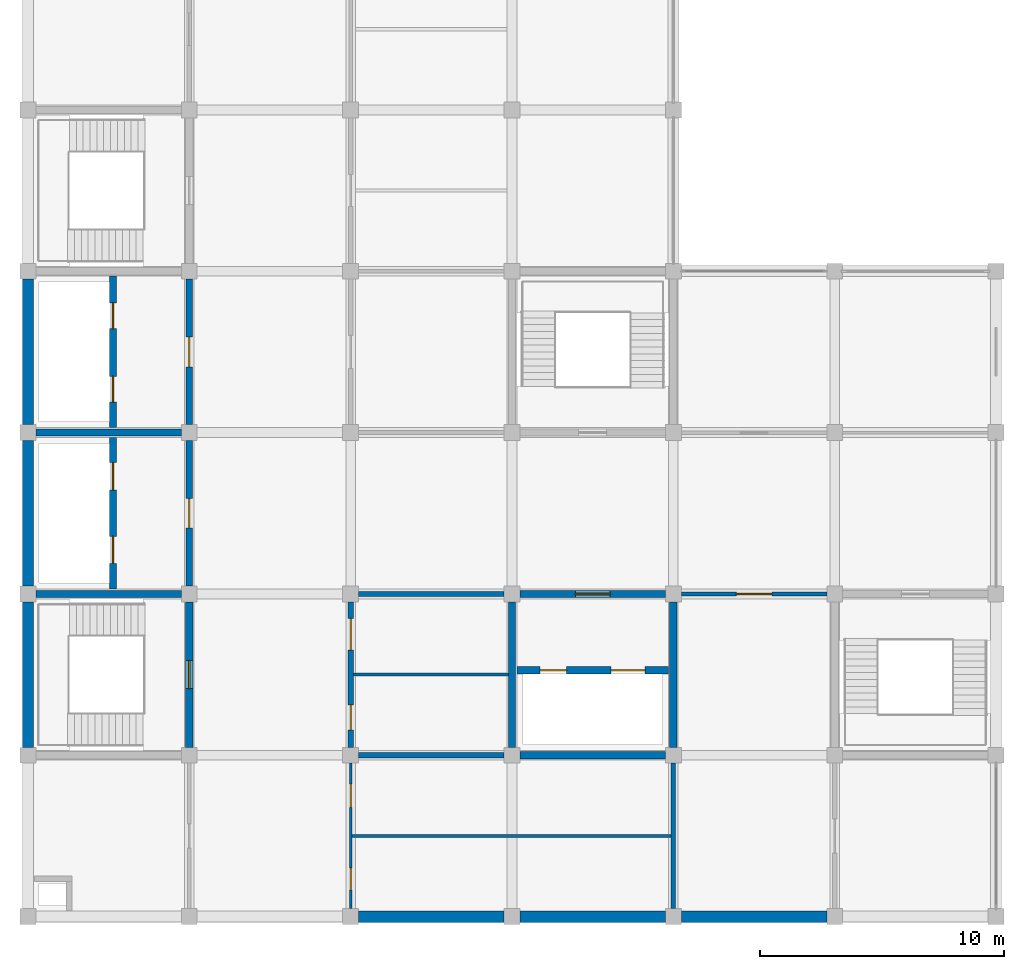
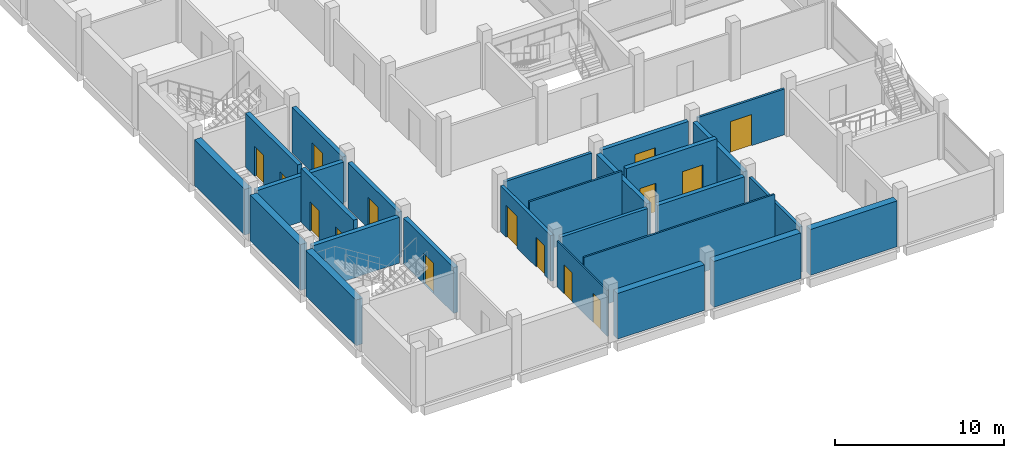
# One storey, part 6 of 9: 26 walls, 15 doors, 15 openings.
"""IFC4 building model written with IfcOpenShell, lengths in metres."""

from ifc_helpers import new_model, si_unit, direction, frame, frame_2d, origin, place, context, subcontext, project, spatial, rectangle, extrude, material, layer, layer_set, type_object, element, fill, save


model = new_model("IFC4")

# Units and contexts
model_context = context("Model", 3, precision=1e-05, world=origin(), true_north=direction((0.0, 1.0)))
body_context = subcontext(model_context, "Body", "Model", "MODEL_VIEW")
ifc_project = project(units=[si_unit("LENGTHUNIT", "METRE"), si_unit("AREAUNIT", "SQUARE_METRE"), si_unit("VOLUMEUNIT", "CUBIC_METRE"), si_unit("PLANEANGLEUNIT", "RADIAN"), si_unit("MASSUNIT", "GRAM", prefix="KILO")], contexts=[model_context])

# Site, building, storey
site_placement = place(None, origin())
site = spatial("IfcSite", under=ifc_project, at=site_placement, CompositionType="ELEMENT")
building_placement = place(site_placement, origin())
building = spatial("IfcBuilding", under=site, at=building_placement, Name="Rusizi Kubbe Research Institute", CompositionType="ELEMENT")
storey_placement = place(building_placement, frame((0.0, 0.0, 60.60009765625)))
storey = spatial("IfcBuildingStorey", under=building, at=storey_placement, Name="L14", CompositionType="ELEMENT", Elevation=60.60009765625)

# Wall
ifc_material_1 = material(Name="Concrete C40/50", Category="concrete")
ifc_layer_1 = layer(ifc_material_1, 0.294921875)
ifc_layer_set_1 = layer_set([ifc_layer_1], Name="Concrete C40/50")
wall_type_1 = type_object("IfcWallType", Name="CRW-03", PredefinedType="SHEAR", material=ifc_layer_set_1)
wall_1_placement = place(storey_placement, frame((0.324951171875, 13.199951171875, 0.0), z_axis=(0.0, 0.0, 1.0), x_axis=(1.0, 0.0, 0.0)))
element("IfcWall", 1, at=wall_1_placement, inside=storey, type_object=wall_type_1, Name="Stair Core Shear Wall ST1 L14 N", PredefinedType="SHEAR", context=body_context, shape_type="SweptSolid", body=[
    extrude(rectangle(XDim=5.949951171875, YDim=0.294921875, at=frame_2d((2.97509765625, 0.0))), origin(), (0.0, 0.0, 1.0), 3.309814453125),
])

# Wall, opening, door
wall_2_placement = place(storey_placement, frame((6.60009765625, 6.925048828125, 0.0), z_axis=(0.0, 0.0, 1.0), x_axis=(0.0, 1.0, 0.0)))
wall_2 = element("IfcWall", 2, at=wall_2_placement, inside=storey, type_object=wall_type_1, Name="Stair Core Shear Wall ST1 L14 E", PredefinedType="SHEAR", context=body_context, shape_type="SweptSolid", body=[
    extrude(rectangle(XDim=5.949951171875, YDim=0.294921875, at=frame_2d((2.97509765625, 0.0))), origin(), (0.0, 0.0, 1.0), 3.309814453125),
])
opening_1_placement = place(wall_2_placement, frame((2.39990234375, 0.0, 0.0)))
opening_1 = element("IfcOpeningElement", 3, at=opening_1_placement, cuts=wall_2, Name="Opening D-02", PredefinedType="OPENING", context=body_context, shape_type="SweptSolid", body=[
    extrude(rectangle(XDim=1.14990234375, YDim=2.199951171875, at=frame_2d((0.574951171875, 1.10009765625))), frame((0.0, 0.157470703125, 0.0), z_axis=(0.0, -1.0, 0.0), x_axis=(1.0, 0.0, 0.0)), (0.0, 0.0, 1.0), 0.31494140625),
])
ifc_material_2 = material(Name="Fire-Rated Steel Frame and Acoustic Timber Leaf", Category="wood")
door_type_1 = type_object("IfcDoorType", Name="ID-STAIR-115", OperationType="NOTDEFINED", PredefinedType="DOOR", material=ifc_material_2)
door_1_placement = place(opening_1_placement, origin())
door_1 = element("IfcDoor", 4, at=door_1_placement, inside=storey, type_object=door_type_1, Name="Exit Stair Door ST1 L14", OperationType="SINGLE_SWING_RIGHT", OverallHeight=2.199951171875, OverallWidth=1.14990234375, PredefinedType="DOOR", context=body_context, shape_type="SweptSolid", body=[
    extrude(rectangle(XDim=1.14990234375, YDim=2.199951171875, at=frame_2d((0.574951171875, 1.10009765625))), frame((0.0, 0.02490234375, 0.0), z_axis=(0.0, -1.0, 0.0), x_axis=(1.0, 0.0, 0.0)), (0.0, 0.0, 1.0), 0.050048828125),
])
fill(opening_1, door_1)

# Walls
for number, where, z_axis, x_axis, name in (
    (5, (0.324951171875, 19.800048828125, 0.0), (0.0, 0.0, 1.0), (1.0, 0.0, 0.0), "Lift Core Divider Wall (0,2-3) L14"),
    (6, (20.125, 6.60009765625, 0.0), (0.0, 0.0, 1.0), (1.0, 0.0, 0.0), "Lab Lift Core Wall S (3,1) L14"),
    (7, (19.800048828125, 6.925048828125, 0.0), (0.0, 0.0, 1.0), (0.0, 1.0, 0.0), "Lab Lift Core Wall W (3,1) L14"),
    (8, (26.39990234375, 6.925048828125, 0.0), (0.0, 0.0, 1.0), (0.0, 1.0, 0.0), "Lab Lift Core Wall E (3,1) L14"),
):
    element("IfcWall", number, at=place(storey_placement, frame(where, z_axis=z_axis, x_axis=x_axis)), inside=storey, type_object=wall_type_1, Name=name, PredefinedType="SHEAR", context=body_context, shape_type="SweptSolid", body=[
        extrude(rectangle(XDim=5.949951171875, YDim=0.294921875, at=frame_2d((2.97509765625, 0.0))), origin(), (0.0, 0.0, 1.0), 3.309814453125),
    ])

# Wall, openings, doors
wall_3_placement = place(storey_placement, frame((3.47998046875, 13.39990234375, 0.0), z_axis=(0.0, 0.0, 1.0), x_axis=(0.0, 1.0, 0.0)))
wall_3 = element("IfcWall", 9, at=wall_3_placement, inside=storey, type_object=wall_type_1, Name="Firefighting Lift Shaft Front Wall L14", PredefinedType="SHEAR", context=body_context, shape_type="SweptSolid", body=[
    extrude(rectangle(XDim=6.2001953125, YDim=0.294921875, at=frame_2d((3.10009765625, 0.0))), origin(), (0.0, 0.0, 1.0), 3.909912109375),
])
opening_2_placement = place(wall_3_placement, frame((1.050048828125, 0.0, 0.0)))
opening_2 = element("IfcOpeningElement", 10, at=opening_2_placement, cuts=wall_3, Name="Opening LD-01", PredefinedType="OPENING", context=body_context, shape_type="SweptSolid", body=[
    extrude(rectangle(XDim=1.10009765625, YDim=2.14990234375, at=frame_2d((0.550048828125, 1.074951171875))), frame((0.0, 0.157470703125, 0.0), z_axis=(0.0, -1.0, 0.0), x_axis=(1.0, 0.0, 0.0)), (0.0, 0.0, 1.0), 0.31494140625),
])
opening_3_placement = place(wall_3_placement, frame((4.050048828125, 0.0, 0.0)))
opening_3 = element("IfcOpeningElement", 11, at=opening_3_placement, cuts=wall_3, Name="Opening LD-02", PredefinedType="OPENING", context=body_context, shape_type="SweptSolid", body=[
    extrude(rectangle(XDim=1.1201171875, YDim=2.14990234375, at=frame_2d((0.56005859375, 1.074951171875))), frame((0.0, 0.157470703125, 0.0), z_axis=(0.0, -1.0, 0.0), x_axis=(1.0, 0.0, 0.0)), (0.0, 0.0, 1.0), 0.31494140625),
])
ifc_material_3 = material(Name="Brushed Stainless Steel Sliding Door", Category="steel")
door_type_2 = type_object("IfcDoorType", Name="LD-01", OperationType="DOUBLE_DOOR_SLIDING", PredefinedType="USERDEFINED", material=ifc_material_3)
door_2_placement = place(opening_2_placement, origin())
door_2 = element("IfcDoor", 12, at=door_2_placement, inside=storey, type_object=door_type_2, Name="Lift Landing Sliding Door FL1 L14", ObjectType="SLIDING DOOR", OperationType="DOUBLE_DOOR_SLIDING", OverallHeight=2.14990234375, OverallWidth=1.10009765625, PredefinedType="USERDEFINED", context=body_context, shape_type="SweptSolid", body=[
    extrude(rectangle(XDim=1.10009765625, YDim=2.14990234375, at=frame_2d((0.550048828125, 1.074951171875))), frame((0.0, 0.02490234375, 0.0), z_axis=(0.0, -1.0, 0.0), x_axis=(1.0, 0.0, 0.0)), (0.0, 0.0, 1.0), 0.050048828125),
])
fill(opening_2, door_2)
ifc_material_4 = material(Name="Brushed Stainless Steel Sliding Door", Category="steel")
door_type_3 = type_object("IfcDoorType", Name="LD-02", OperationType="DOUBLE_DOOR_SLIDING", PredefinedType="USERDEFINED", material=ifc_material_4)
door_3_placement = place(opening_3_placement, origin())
door_3 = element("IfcDoor", 13, at=door_3_placement, inside=storey, type_object=door_type_3, Name="Lift Landing Sliding Door FL2 L14", ObjectType="SLIDING DOOR", OperationType="DOUBLE_DOOR_SLIDING", OverallHeight=2.14990234375, OverallWidth=1.1201171875, PredefinedType="USERDEFINED", context=body_context, shape_type="SweptSolid", body=[
    extrude(rectangle(XDim=1.1201171875, YDim=2.14990234375, at=frame_2d((0.56005859375, 1.074951171875))), frame((0.0, 0.02490234375, 0.0), z_axis=(0.0, -1.0, 0.0), x_axis=(1.0, 0.0, 0.0)), (0.0, 0.0, 1.0), 0.050048828125),
])
fill(opening_3, door_3)

wall_4_placement = place(storey_placement, frame((3.47998046875, 20.0, 0.0), z_axis=(0.0, 0.0, 1.0), x_axis=(0.0, 1.0, 0.0)))
wall_4 = element("IfcWall", 14, at=wall_4_placement, inside=storey, type_object=wall_type_1, Name="Passenger Lift Shaft Front Wall L14", PredefinedType="SHEAR", context=body_context, shape_type="SweptSolid", body=[
    extrude(rectangle(XDim=6.199951171875, YDim=0.294921875, at=frame_2d((3.10009765625, 0.0))), origin(), (0.0, 0.0, 1.0), 3.909912109375),
])
opening_4_placement = place(wall_4_placement, frame((1.050048828125, 0.0, 0.0)))
opening_4 = element("IfcOpeningElement", 15, at=opening_4_placement, cuts=wall_4, Name="Opening LD-03", PredefinedType="OPENING", context=body_context, shape_type="SweptSolid", body=[
    extrude(rectangle(XDim=1.050048828125, YDim=2.14990234375, at=frame_2d((0.52490234375, 1.074951171875))), frame((0.0, 0.157470703125, 0.0), z_axis=(0.0, -1.0, 0.0), x_axis=(1.0, 0.0, 0.0)), (0.0, 0.0, 1.0), 0.31494140625),
])
opening_5_placement = place(wall_4_placement, frame((4.050048828125, 0.0, 0.0)))
opening_5 = element("IfcOpeningElement", 16, at=opening_5_placement, cuts=wall_4, Name="Opening LD-04", PredefinedType="OPENING", context=body_context, shape_type="SweptSolid", body=[
    extrude(rectangle(XDim=1.06005859375, YDim=2.14990234375, at=frame_2d((0.530029296875, 1.074951171875))), frame((0.0, 0.157470703125, 0.0), z_axis=(0.0, -1.0, 0.0), x_axis=(1.0, 0.0, 0.0)), (0.0, 0.0, 1.0), 0.31494140625),
])
ifc_material_5 = material(Name="Brushed Stainless Steel Sliding Door", Category="steel")
door_type_4 = type_object("IfcDoorType", Name="LD-03", OperationType="DOUBLE_DOOR_SLIDING", PredefinedType="USERDEFINED", material=ifc_material_5)
door_4_placement = place(opening_4_placement, origin())
door_4 = element("IfcDoor", 17, at=door_4_placement, inside=storey, type_object=door_type_4, Name="Lift Landing Sliding Door LP1 L14", ObjectType="SLIDING DOOR", OperationType="DOUBLE_DOOR_SLIDING", OverallHeight=2.14990234375, OverallWidth=1.050048828125, PredefinedType="USERDEFINED", context=body_context, shape_type="SweptSolid", body=[
    extrude(rectangle(XDim=1.050048828125, YDim=2.14990234375, at=frame_2d((0.52490234375, 1.074951171875))), frame((0.0, 0.02490234375, 0.0), z_axis=(0.0, -1.0, 0.0), x_axis=(1.0, 0.0, 0.0)), (0.0, 0.0, 1.0), 0.050048828125),
])
fill(opening_4, door_4)
ifc_material_6 = material(Name="Brushed Stainless Steel Sliding Door", Category="steel")
door_type_5 = type_object("IfcDoorType", Name="LD-04", OperationType="DOUBLE_DOOR_SLIDING", PredefinedType="USERDEFINED", material=ifc_material_6)
door_5_placement = place(opening_5_placement, origin())
door_5 = element("IfcDoor", 18, at=door_5_placement, inside=storey, type_object=door_type_5, Name="Lift Landing Sliding Door LP2 L14", ObjectType="SLIDING DOOR", OperationType="DOUBLE_DOOR_SLIDING", OverallHeight=2.14990234375, OverallWidth=1.06005859375, PredefinedType="USERDEFINED", context=body_context, shape_type="SweptSolid", body=[
    extrude(rectangle(XDim=1.06005859375, YDim=2.14990234375, at=frame_2d((0.530029296875, 1.074951171875))), frame((0.0, 0.02490234375, 0.0), z_axis=(0.0, -1.0, 0.0), x_axis=(1.0, 0.0, 0.0)), (0.0, 0.0, 1.0), 0.050048828125),
])
fill(opening_5, door_5)

wall_5_placement = place(storey_placement, frame((20.0, 10.080078125, 0.0), z_axis=(0.0, 0.0, 1.0), x_axis=(1.0, 0.0, 0.0)))
wall_5 = element("IfcWall", 19, at=wall_5_placement, inside=storey, type_object=wall_type_1, Name="Goods Lift Shaft Front Wall L14", PredefinedType="SHEAR", context=body_context, shape_type="SweptSolid", body=[
    extrude(rectangle(XDim=6.199951171875, YDim=0.294921875, at=frame_2d((3.10009765625, 0.0))), origin(), (0.0, 0.0, 1.0), 3.909912109375),
])
opening_6_placement = place(wall_5_placement, frame((0.949951171875, 0.0, 0.0)))
opening_6 = element("IfcOpeningElement", 20, at=opening_6_placement, cuts=wall_5, Name="Opening LD-05", PredefinedType="OPENING", context=body_context, shape_type="SweptSolid", body=[
    extrude(rectangle(XDim=1.080078125, YDim=2.14990234375, at=frame_2d((0.5400390625, 1.074951171875))), frame((0.0, 0.157470703125, 0.0), z_axis=(0.0, -1.0, 0.0), x_axis=(1.0, 0.0, 0.0)), (0.0, 0.0, 1.0), 0.31494140625),
])
opening_7_placement = place(wall_5_placement, frame((3.85009765625, 0.0, 0.0)))
opening_7 = element("IfcOpeningElement", 21, at=opening_7_placement, cuts=wall_5, Name="Opening LD-06", PredefinedType="OPENING", context=body_context, shape_type="SweptSolid", body=[
    extrude(rectangle(XDim=1.39990234375, YDim=2.35009765625, at=frame_2d((0.699951171875, 1.175048828125))), frame((0.0, 0.157470703125, 0.0), z_axis=(0.0, -1.0, 0.0), x_axis=(1.0, 0.0, 0.0)), (0.0, 0.0, 1.0), 0.31494140625),
])
ifc_material_7 = material(Name="Brushed Stainless Steel Sliding Door", Category="steel")
door_type_6 = type_object("IfcDoorType", Name="LD-05", OperationType="DOUBLE_DOOR_SLIDING", PredefinedType="USERDEFINED", material=ifc_material_7)
door_6_placement = place(opening_6_placement, origin())
door_6 = element("IfcDoor", 22, at=door_6_placement, inside=storey, type_object=door_type_6, Name="Lift Landing Sliding Door LP3 L14", ObjectType="SLIDING DOOR", OperationType="DOUBLE_DOOR_SLIDING", OverallHeight=2.14990234375, OverallWidth=1.080078125, PredefinedType="USERDEFINED", context=body_context, shape_type="SweptSolid", body=[
    extrude(rectangle(XDim=1.080078125, YDim=2.14990234375, at=frame_2d((0.5400390625, 1.074951171875))), frame((0.0, 0.02490234375, 0.0), z_axis=(0.0, -1.0, 0.0), x_axis=(1.0, 0.0, 0.0)), (0.0, 0.0, 1.0), 0.050048828125),
])
fill(opening_6, door_6)
ifc_material_8 = material(Name="Brushed Stainless Steel Sliding Door", Category="steel")
door_type_7 = type_object("IfcDoorType", Name="LD-06", OperationType="DOUBLE_DOOR_SLIDING", PredefinedType="USERDEFINED", material=ifc_material_8)
door_7_placement = place(opening_7_placement, origin())
door_7 = element("IfcDoor", 23, at=door_7_placement, inside=storey, type_object=door_type_7, Name="Lift Landing Sliding Door LG1 L14", ObjectType="SLIDING DOOR", OperationType="DOUBLE_DOOR_SLIDING", OverallHeight=2.35009765625, OverallWidth=1.39990234375, PredefinedType="USERDEFINED", context=body_context, shape_type="SweptSolid", body=[
    extrude(rectangle(XDim=1.39990234375, YDim=2.35009765625, at=frame_2d((0.699951171875, 1.175048828125))), frame((0.0, 0.02490234375, 0.0), z_axis=(0.0, -1.0, 0.0), x_axis=(1.0, 0.0, 0.0)), (0.0, 0.0, 1.0), 0.050048828125),
])
fill(opening_7, door_7)

# Wall
ifc_material_9 = material(Name="Concrete Blockwork Fire Partition", Category="masonry")
ifc_layer_2 = layer(ifc_material_9, 0.22509765625)
ifc_layer_set_2 = layer_set([ifc_layer_2], Name="Concrete Blockwork Fire Partition")
wall_type_2 = type_object("IfcWallType", Name="IW-01", PredefinedType="PARTITIONING", material=ifc_layer_set_2)
wall_6_placement = place(storey_placement, frame((13.52490234375, 6.60009765625, 0.0), z_axis=(0.0, 0.0, 1.0), x_axis=(1.0, 0.0, 0.0)))
element("IfcWall", 24, at=wall_6_placement, inside=storey, type_object=wall_type_2, Name="Sanitary Core North Divider Wall L14", PredefinedType="PARTITIONING", context=body_context, shape_type="SweptSolid", body=[
    extrude(rectangle(XDim=5.9501953125, YDim=0.22509765625, at=frame_2d((2.97509765625, 0.0))), origin(), (0.0, 0.0, 1.0), 3.309814453125),
])

# Wall, openings, doors
wall_7_placement = place(storey_placement, frame((13.199951171875, 6.925048828125, 0.0), z_axis=(0.0, 0.0, 1.0), x_axis=(0.0, 1.0, 0.0)))
wall_7 = element("IfcWall", 25, at=wall_7_placement, inside=storey, type_object=wall_type_2, Name="Accessible WC and Store West Wall L14", PredefinedType="PARTITIONING", context=body_context, shape_type="SweptSolid", body=[
    extrude(rectangle(XDim=5.949951171875, YDim=0.22509765625, at=frame_2d((2.97509765625, 0.0))), origin(), (0.0, 0.0, 1.0), 3.309814453125),
])
opening_8_placement = place(wall_7_placement, frame((0.715087890625, 0.0, 0.0)))
opening_8 = element("IfcOpeningElement", 26, at=opening_8_placement, cuts=wall_7, Name="Opening D-07", PredefinedType="OPENING", context=body_context, shape_type="SweptSolid", body=[
    extrude(rectangle(XDim=1.02001953125, YDim=2.14990234375, at=frame_2d((0.510009765625, 1.074951171875))), frame((0.0, 0.12255859375, 0.0), z_axis=(0.0, -1.0, 0.0), x_axis=(1.0, 0.0, 0.0)), (0.0, 0.0, 1.0), 0.2451171875),
])
opening_9_placement = place(wall_7_placement, frame((3.97509765625, 0.0, 0.0)))
opening_9 = element("IfcOpeningElement", 27, at=opening_9_placement, cuts=wall_7, Name="Opening D-14", PredefinedType="OPENING", context=body_context, shape_type="SweptSolid", body=[
    extrude(rectangle(XDim=1.300048828125, YDim=2.300048828125, at=frame_2d((0.64990234375, 1.14990234375))), frame((0.0, 0.12255859375, 0.0), z_axis=(0.0, -1.0, 0.0), x_axis=(1.0, 0.0, 0.0)), (0.0, 0.0, 1.0), 0.2451171875),
])
ifc_material_10 = material(Name="Fire-Rated Steel Frame and Acoustic Timber Leaf", Category="wood")
door_type_8 = type_object("IfcDoorType", Name="ID-LAB-130", OperationType="NOTDEFINED", PredefinedType="DOOR", material=ifc_material_10)
door_8_placement = place(opening_9_placement, origin())
door_8 = element("IfcDoor", 28, at=door_8_placement, inside=storey, type_object=door_type_8, Name="Door to Laboratory Reagent Store (L14-STR-01)", OperationType="SINGLE_SWING_RIGHT", OverallHeight=2.300048828125, OverallWidth=1.300048828125, PredefinedType="DOOR", context=body_context, shape_type="SweptSolid", body=[
    extrude(rectangle(XDim=1.300048828125, YDim=2.300048828125, at=frame_2d((0.64990234375, 1.14990234375))), frame((0.0, 0.02490234375, 0.0), z_axis=(0.0, -1.0, 0.0), x_axis=(1.0, 0.0, 0.0)), (0.0, 0.0, 1.0), 0.050048828125),
])
fill(opening_9, door_8)
ifc_material_11 = material(Name="Fire-Rated Steel Frame and Acoustic Timber Leaf", Category="wood")
door_type_9 = type_object("IfcDoorType", Name="ID-WC-ACC", OperationType="NOTDEFINED", PredefinedType="DOOR", material=ifc_material_11)
door_9_placement = place(opening_8_placement, origin())
door_9 = element("IfcDoor", 29, at=door_9_placement, inside=storey, type_object=door_type_9, Name="Door to Accessible Toilet Room (L14-WC-ACC)", OperationType="SINGLE_SWING_LEFT", OverallHeight=2.14990234375, OverallWidth=1.02001953125, PredefinedType="DOOR", context=body_context, shape_type="SweptSolid", body=[
    extrude(rectangle(XDim=1.02001953125, YDim=2.14990234375, at=frame_2d((0.510009765625, 1.074951171875))), frame((0.0, 0.02490234375, 0.0), z_axis=(0.0, -1.0, 0.0), x_axis=(1.0, 0.0, 0.0)), (0.0, 0.0, 1.0), 0.050048828125),
])
fill(opening_8, door_9)

# Walls
ifc_material_12 = material(Name="Insulated Cleanroom Partition", Category="masonry")
ifc_layer_3 = layer(ifc_material_12, 0.195068359375)
ifc_layer_set_3 = layer_set([ifc_layer_3], Name="Insulated Cleanroom Partition")
wall_type_3 = type_object("IfcWallType", Name="IW-02", PredefinedType="PARTITIONING", material=ifc_layer_set_3)
wall_8_placement = place(storey_placement, frame((26.39990234375, 0.324951171875, 0.0), z_axis=(0.0, 0.0, 1.0), x_axis=(0.0, 1.0, 0.0)))
element("IfcWall", 30, at=wall_8_placement, inside=storey, type_object=wall_type_3, Name="Sanitary Core East Enclosing Wall L14", PredefinedType="PARTITIONING", context=body_context, shape_type="SweptSolid", body=[
    extrude(rectangle(XDim=5.949951171875, YDim=0.195068359375, at=frame_2d((2.97509765625, 0.0))), origin(), (0.0, 0.0, 1.0), 3.309814453125),
])
wall_9_placement = place(storey_placement, frame((13.52490234375, 13.199951171875, 0.0), z_axis=(0.0, 0.0, 1.0), x_axis=(1.0, 0.0, 0.0)))
element("IfcWall", 31, at=wall_9_placement, inside=storey, type_object=wall_type_3, Name="Reagent Store North Corridor Wall L14", PredefinedType="PARTITIONING", context=body_context, shape_type="SweptSolid", body=[
    extrude(rectangle(XDim=5.9501953125, YDim=0.195068359375, at=frame_2d((2.97509765625, 0.0))), origin(), (0.0, 0.0, 1.0), 3.309814453125),
])

# Wall, opening, door
ifc_material_13 = material(Name="Fire-Rated Corridor Partition", Category="masonry")
ifc_layer_4 = layer(ifc_material_13, 0.155029296875)
ifc_layer_set_4 = layer_set([ifc_layer_4], Name="Fire-Rated Corridor Partition")
wall_type_4 = type_object("IfcWallType", Name="IW-04", PredefinedType="PARTITIONING", material=ifc_layer_set_4)
wall_10_placement = place(storey_placement, frame((26.72509765625, 13.199951171875, 0.0), z_axis=(0.0, 0.0, 1.0), x_axis=(1.0, 0.0, 0.0)))
wall_10 = element("IfcWall", 32, at=wall_10_placement, inside=storey, type_object=wall_type_4, Name="Interior Partition Wall L14 H4-2", PredefinedType="PARTITIONING", context=body_context, shape_type="SweptSolid", body=[
    extrude(rectangle(XDim=5.949951171875, YDim=0.155029296875, at=frame_2d((2.97509765625, 0.0))), origin(), (0.0, 0.0, 1.0), 3.309814453125),
])
opening_10_placement = place(wall_10_placement, frame((2.25, 0.0, 0.0)))
opening_10 = element("IfcOpeningElement", 33, at=opening_10_placement, cuts=wall_10, Name="Opening D-11", PredefinedType="OPENING", context=body_context, shape_type="SweptSolid", body=[
    extrude(rectangle(XDim=1.449951171875, YDim=2.25, at=frame_2d((0.72509765625, 1.125))), frame((0.0, 0.08740234375, 0.0), z_axis=(0.0, -1.0, 0.0), x_axis=(1.0, 0.0, 0.0)), (0.0, 0.0, 1.0), 0.175048828125),
])
ifc_material_14 = material(Name="Fire-Rated Steel Frame and Acoustic Timber Leaf", Category="wood")
door_type_10 = type_object("IfcDoorType", Name="ID-LAB-145", OperationType="NOTDEFINED", PredefinedType="DOOR", material=ifc_material_14)
door_10_placement = place(opening_10_placement, origin())
door_10 = element("IfcDoor", 34, at=door_10_placement, inside=storey, type_object=door_type_10, Name="Door to Catalysis Wet Laboratory (L14-EWS-01)", OperationType="SINGLE_SWING_LEFT", OverallHeight=2.25, OverallWidth=1.449951171875, PredefinedType="DOOR", context=body_context, shape_type="SweptSolid", body=[
    extrude(rectangle(XDim=1.449951171875, YDim=2.25, at=frame_2d((0.72509765625, 1.125))), frame((0.0, 0.02490234375, 0.0), z_axis=(0.0, -1.0, 0.0), x_axis=(1.0, 0.0, 0.0)), (0.0, 0.0, 1.0), 0.050048828125),
])
fill(opening_10, door_10)

# Walls
ifc_material_15 = material(Name="Sanitary Wet-Wall Partition", Category="masonry")
ifc_layer_5 = layer(ifc_material_15, 0.125)
ifc_layer_set_5 = layer_set([ifc_layer_5], Name="Sanitary Wet-Wall Partition")
wall_type_5 = type_object("IfcWallType", Name="IW-06", PredefinedType="PARTITIONING", material=ifc_layer_set_5)
wall_11_placement = place(storey_placement, frame((13.260009765625, 3.300048828125, 0.0), z_axis=(0.0, 0.0, 1.0), x_axis=(1.0, 0.0, 0.0)))
element("IfcWall", 35, at=wall_11_placement, inside=storey, type_object=wall_type_5, Name="Sanitary Divider Wall L14-1", PredefinedType="PARTITIONING", context=body_context, shape_type="SweptSolid", body=[
    extrude(rectangle(XDim=13.03759765625, YDim=0.125, at=frame_2d((6.518798828125, 0.0))), origin(), (0.0, 0.0, 1.0), 3.909912109375),
])
wall_12_placement = place(storey_placement, frame((13.3173828125, 9.89990234375, 0.0), z_axis=(0.0, 0.0, 1.0), x_axis=(1.0, 0.0, 0.0)))
element("IfcWall", 36, at=wall_12_placement, inside=storey, type_object=wall_type_5, Name="Sanitary Divider Wall L14-2", PredefinedType="PARTITIONING", context=body_context, shape_type="SweptSolid", body=[
    extrude(rectangle(XDim=6.330078125, YDim=0.125, at=frame_2d((3.1650390625, 0.0))), origin(), (0.0, 0.0, 1.0), 3.909912109375),
])

# Wall, openings, doors
ifc_material_16 = material(Name="Sub-Suite Fire Partition", Category="masonry")
ifc_layer_6 = layer(ifc_material_16, 0.110107421875)
ifc_layer_set_6 = layer_set([ifc_layer_6], Name="Sub-Suite Fire Partition")
wall_type_6 = type_object("IfcWallType", Name="IW-07", PredefinedType="PARTITIONING", material=ifc_layer_set_6)
wall_13_placement = place(storey_placement, frame((13.199951171875, 0.324951171875, 0.0), z_axis=(0.0, 0.0, 1.0), x_axis=(0.0, 1.0, 0.0)))
wall_13 = element("IfcWall", 37, at=wall_13_placement, inside=storey, type_object=wall_type_6, Name="Sanitary Core West Corridor Wall L14", PredefinedType="PARTITIONING", context=body_context, shape_type="SweptSolid", body=[
    extrude(rectangle(XDim=5.949951171875, YDim=0.110107421875, at=frame_2d((2.97509765625, 0.0))), origin(), (0.0, 0.0, 1.0), 3.309814453125),
])
opening_11_placement = place(wall_13_placement, frame((0.77490234375, 0.0, 0.0)))
opening_11 = element("IfcOpeningElement", 38, at=opening_11_placement, cuts=wall_13, Name="Opening D-05", PredefinedType="OPENING", context=body_context, shape_type="SweptSolid", body=[
    extrude(rectangle(XDim=0.89990234375, YDim=2.10009765625, at=frame_2d((0.449951171875, 1.050048828125))), frame((0.0, 0.06494140625, 0.0), z_axis=(0.0, -1.0, 0.0), x_axis=(1.0, 0.0, 0.0)), (0.0, 0.0, 1.0), 0.130126953125),
])
opening_12_placement = place(wall_13_placement, frame((4.14990234375, 0.0, 0.0)))
opening_12 = element("IfcOpeningElement", 39, at=opening_12_placement, cuts=wall_13, Name="Opening D-06", PredefinedType="OPENING", context=body_context, shape_type="SweptSolid", body=[
    extrude(rectangle(XDim=0.949951171875, YDim=2.10009765625, at=frame_2d((0.47509765625, 1.050048828125))), frame((0.0, 0.06494140625, 0.0), z_axis=(0.0, -1.0, 0.0), x_axis=(1.0, 0.0, 0.0)), (0.0, 0.0, 1.0), 0.130126953125),
])
ifc_material_17 = material(Name="Fire-Rated Steel Frame and Acoustic Timber Leaf", Category="wood")
door_type_11 = type_object("IfcDoorType", Name="ID-WC-900", OperationType="NOTDEFINED", PredefinedType="DOOR", material=ifc_material_17)
door_11_placement = place(opening_11_placement, origin())
door_11 = element("IfcDoor", 40, at=door_11_placement, inside=storey, type_object=door_type_11, Name="Door to Male Toilet Room (L14-WC-M)", OperationType="SINGLE_SWING_LEFT", OverallHeight=2.10009765625, OverallWidth=0.89990234375, PredefinedType="DOOR", context=body_context, shape_type="SweptSolid", body=[
    extrude(rectangle(XDim=0.89990234375, YDim=2.10009765625, at=frame_2d((0.449951171875, 1.050048828125))), frame((0.0, 0.02490234375, 0.0), z_axis=(0.0, -1.0, 0.0), x_axis=(1.0, 0.0, 0.0)), (0.0, 0.0, 1.0), 0.050048828125),
])
fill(opening_11, door_11)
ifc_material_18 = material(Name="Fire-Rated Steel Frame and Acoustic Timber Leaf", Category="wood")
door_type_12 = type_object("IfcDoorType", Name="ID-WC-950", OperationType="NOTDEFINED", PredefinedType="DOOR", material=ifc_material_18)
door_12_placement = place(opening_12_placement, origin())
door_12 = element("IfcDoor", 41, at=door_12_placement, inside=storey, type_object=door_type_12, Name="Door to Female Toilet Room (L14-WC-F)", OperationType="SINGLE_SWING_RIGHT", OverallHeight=2.10009765625, OverallWidth=0.949951171875, PredefinedType="DOOR", context=body_context, shape_type="SweptSolid", body=[
    extrude(rectangle(XDim=0.949951171875, YDim=2.10009765625, at=frame_2d((0.47509765625, 1.050048828125))), frame((0.0, 0.02490234375, 0.0), z_axis=(0.0, -1.0, 0.0), x_axis=(1.0, 0.0, 0.0)), (0.0, 0.0, 1.0), 0.050048828125),
])
fill(opening_12, door_12)

# Walls
ifc_material_19 = material(Name="Concrete C40/50", Category="concrete")
ifc_layer_7 = layer(ifc_material_19, 0.4599609375)
ifc_layer_set_7 = layer_set([ifc_layer_7], Name="Concrete C40/50")
wall_type_7 = type_object("IfcWallType", Name="PW-02", PredefinedType="SOLIDWALL", material=ifc_layer_set_7)
wall_14_placement = place(storey_placement, frame((0.0, 6.925048828125, 0.0), z_axis=(0.0, 0.0, 1.0), x_axis=(0.0, 1.0, 0.0)))
element("IfcWall", 42, at=wall_14_placement, inside=storey, type_object=wall_type_7, Name="Blind Party Wall L14 V0-1", PredefinedType="SOLIDWALL", context=body_context, shape_type="SweptSolid", body=[
    extrude(rectangle(XDim=5.949951171875, YDim=0.4599609375, at=frame_2d((2.97509765625, 0.0))), origin(), (0.0, 0.0, 1.0), 3.309814453125),
])
wall_15_placement = place(storey_placement, frame((0.0, 13.52490234375, 0.0), z_axis=(0.0, 0.0, 1.0), x_axis=(0.0, 1.0, 0.0)))
element("IfcWall", 43, at=wall_15_placement, inside=storey, type_object=wall_type_7, Name="Blind Party Wall L14 V0-2", PredefinedType="SOLIDWALL", context=body_context, shape_type="SweptSolid", body=[
    extrude(rectangle(XDim=5.9501953125, YDim=0.4599609375, at=frame_2d((2.97509765625, 0.0))), origin(), (0.0, 0.0, 1.0), 3.309814453125),
])
wall_16_placement = place(storey_placement, frame((0.0, 20.125, 0.0), z_axis=(0.0, 0.0, 1.0), x_axis=(0.0, 1.0, 0.0)))
element("IfcWall", 44, at=wall_16_placement, inside=storey, type_object=wall_type_7, Name="Blind Party Wall L14 V0-3", PredefinedType="SOLIDWALL", context=body_context, shape_type="SweptSolid", body=[
    extrude(rectangle(XDim=5.949951171875, YDim=0.4599609375, at=frame_2d((2.97509765625, 0.0))), origin(), (0.0, 0.0, 1.0), 3.309814453125),
])
wall_17_placement = place(storey_placement, frame((13.52490234375, 0.0, 0.0), z_axis=(0.0, 0.0, 1.0), x_axis=(1.0, 0.0, 0.0)))
element("IfcWall", 45, at=wall_17_placement, inside=storey, type_object=wall_type_7, Name="Blind Party Wall L14 H2-0", PredefinedType="SOLIDWALL", context=body_context, shape_type="SweptSolid", body=[
    extrude(rectangle(XDim=5.9501953125, YDim=0.4599609375, at=frame_2d((2.97509765625, 0.0))), origin(), (0.0, 0.0, 1.0), 3.309814453125),
])
for number, where, z_axis, x_axis, name in (
    (46, (20.125, 0.0, 0.0), (0.0, 0.0, 1.0), (1.0, 0.0, 0.0), "Blind Party Wall L14 H3-0"),
    (47, (26.72509765625, 0.0, 0.0), (0.0, 0.0, 1.0), (1.0, 0.0, 0.0), "Blind Party Wall L14 H4-0"),
):
    element("IfcWall", number, at=place(storey_placement, frame(where, z_axis=z_axis, x_axis=x_axis)), inside=storey, type_object=wall_type_7, Name=name, PredefinedType="SOLIDWALL", context=body_context, shape_type="SweptSolid", body=[
        extrude(rectangle(XDim=5.949951171875, YDim=0.4599609375, at=frame_2d((2.97509765625, 0.0))), origin(), (0.0, 0.0, 1.0), 3.309814453125),
    ])

# Wall, opening, door
ifc_material_20 = material(Name="Concrete C40/50", Category="concrete")
ifc_layer_8 = layer(ifc_material_20, 0.27490234375)
ifc_layer_set_8 = layer_set([ifc_layer_8], Name="Concrete C40/50")
wall_type_8 = type_object("IfcWallType", Name="SHW-01", PredefinedType="SHEAR", material=ifc_layer_set_8)
wall_18_placement = place(storey_placement, frame((6.60009765625, 13.52490234375, 0.0), z_axis=(0.0, 0.0, 1.0), x_axis=(0.0, 1.0, 0.0)))
wall_18 = element("IfcWall", 48, at=wall_18_placement, inside=storey, type_object=wall_type_8, Name="Firefighting Lobby Wall L14", PredefinedType="SHEAR", context=body_context, shape_type="SweptSolid", body=[
    extrude(rectangle(XDim=5.9501953125, YDim=0.27490234375, at=frame_2d((2.97509765625, 0.0))), origin(), (0.0, 0.0, 1.0), 3.309814453125),
])
opening_13_placement = place(wall_18_placement, frame((2.375, 0.0, 0.0)))
opening_13 = element("IfcOpeningElement", 49, at=opening_13_placement, cuts=wall_18, Name="Opening D-03", PredefinedType="OPENING", context=body_context, shape_type="SweptSolid", body=[
    extrude(rectangle(XDim=1.199951171875, YDim=2.25, at=frame_2d((0.60009765625, 1.125))), frame((0.0, 0.1474609375, 0.0), z_axis=(0.0, -1.0, 0.0), x_axis=(1.0, 0.0, 0.0)), (0.0, 0.0, 1.0), 0.294921875),
])
ifc_material_21 = material(Name="Fire-Rated Steel Frame and Acoustic Timber Leaf", Category="wood")
door_type_13 = type_object("IfcDoorType", Name="ID-FF-120", OperationType="NOTDEFINED", PredefinedType="DOOR", material=ifc_material_21)
door_13_placement = place(opening_13_placement, origin())
door_13 = element("IfcDoor", 50, at=door_13_placement, inside=storey, type_object=door_type_13, Name="Door to Firefighting Lift Lobby (L14-FFL-01)", OperationType="SINGLE_SWING_LEFT", OverallHeight=2.25, OverallWidth=1.199951171875, PredefinedType="DOOR", context=body_context, shape_type="SweptSolid", body=[
    extrude(rectangle(XDim=1.199951171875, YDim=2.25, at=frame_2d((0.60009765625, 1.125))), frame((0.0, 0.02490234375, 0.0), z_axis=(0.0, -1.0, 0.0), x_axis=(1.0, 0.0, 0.0)), (0.0, 0.0, 1.0), 0.050048828125),
])
fill(opening_13, door_13)

wall_19_placement = place(storey_placement, frame((6.60009765625, 20.125, 0.0), z_axis=(0.0, 0.0, 1.0), x_axis=(0.0, 1.0, 0.0)))
wall_19 = element("IfcWall", 51, at=wall_19_placement, inside=storey, type_object=wall_type_8, Name="Passenger Lift Lobby Wall L14", PredefinedType="SHEAR", context=body_context, shape_type="SweptSolid", body=[
    extrude(rectangle(XDim=5.949951171875, YDim=0.27490234375, at=frame_2d((2.97509765625, 0.0))), origin(), (0.0, 0.0, 1.0), 3.309814453125),
])
opening_14_placement = place(wall_19_placement, frame((2.364990234375, 0.0, 0.0)))
opening_14 = element("IfcOpeningElement", 52, at=opening_14_placement, cuts=wall_19, Name="Opening D-21", PredefinedType="OPENING", context=body_context, shape_type="SweptSolid", body=[
    extrude(rectangle(XDim=1.219970703125, YDim=2.14990234375, at=frame_2d((0.60986328125, 1.074951171875))), frame((0.0, 0.1474609375, 0.0), z_axis=(0.0, -1.0, 0.0), x_axis=(1.0, 0.0, 0.0)), (0.0, 0.0, 1.0), 0.294921875),
])
ifc_material_22 = material(Name="Fire-Rated Steel Frame and Acoustic Timber Leaf", Category="wood")
door_type_14 = type_object("IfcDoorType", Name="ID-STR-122", OperationType="NOTDEFINED", PredefinedType="DOOR", material=ifc_material_22)
door_14_placement = place(opening_14_placement, origin())
door_14 = element("IfcDoor", 53, at=door_14_placement, inside=storey, type_object=door_type_14, Name="Door to Passenger Lift Lobby (L14-LBY-01)", OperationType="SINGLE_SWING_RIGHT", OverallHeight=2.14990234375, OverallWidth=1.219970703125, PredefinedType="DOOR", context=body_context, shape_type="SweptSolid", body=[
    extrude(rectangle(XDim=1.219970703125, YDim=2.14990234375, at=frame_2d((0.60986328125, 1.074951171875))), frame((0.0, 0.02490234375, 0.0), z_axis=(0.0, -1.0, 0.0), x_axis=(1.0, 0.0, 0.0)), (0.0, 0.0, 1.0), 0.050048828125),
])
fill(opening_14, door_14)

wall_20_placement = place(storey_placement, frame((20.125, 13.199951171875, 0.0), z_axis=(0.0, 0.0, 1.0), x_axis=(1.0, 0.0, 0.0)))
wall_20 = element("IfcWall", 54, at=wall_20_placement, inside=storey, type_object=wall_type_8, Name="Goods Lift Lobby Wall L14", PredefinedType="SHEAR", context=body_context, shape_type="SweptSolid", body=[
    extrude(rectangle(XDim=5.949951171875, YDim=0.27490234375, at=frame_2d((2.97509765625, 0.0))), origin(), (0.0, 0.0, 1.0), 3.309814453125),
])
opening_15_placement = place(wall_20_placement, frame((2.264892578125, 0.0, 0.0)))
opening_15 = element("IfcOpeningElement", 55, at=opening_15_placement, cuts=wall_20, Name="Opening D-22", PredefinedType="OPENING", context=body_context, shape_type="SweptSolid", body=[
    extrude(rectangle(XDim=1.419921875, YDim=2.199951171875, at=frame_2d((0.7099609375, 1.10009765625))), frame((0.0, 0.1474609375, 0.0), z_axis=(0.0, -1.0, 0.0), x_axis=(1.0, 0.0, 0.0)), (0.0, 0.0, 1.0), 0.294921875),
])
ifc_material_23 = material(Name="Fire-Rated Steel Frame and Acoustic Timber Leaf", Category="wood")
door_type_15 = type_object("IfcDoorType", Name="ID-STR-142", OperationType="DOUBLE_DOOR_SINGLE_SWING", PredefinedType="DOOR", material=ifc_material_23)
door_15_placement = place(opening_15_placement, origin())
door_15 = element("IfcDoor", 56, at=door_15_placement, inside=storey, type_object=door_type_15, Name="Door to Laboratory Goods Lift Lobby (L14-GLB-01)", OperationType="DOUBLE_DOOR_SINGLE_SWING", OverallHeight=2.199951171875, OverallWidth=1.419921875, PredefinedType="DOOR", context=body_context, shape_type="SweptSolid", body=[
    extrude(rectangle(XDim=1.419921875, YDim=2.199951171875, at=frame_2d((0.7099609375, 1.10009765625))), frame((0.0, 0.02490234375, 0.0), z_axis=(0.0, -1.0, 0.0), x_axis=(1.0, 0.0, 0.0)), (0.0, 0.0, 1.0), 0.050048828125),
])
fill(opening_15, door_15)

save(model, "model.ifc")
